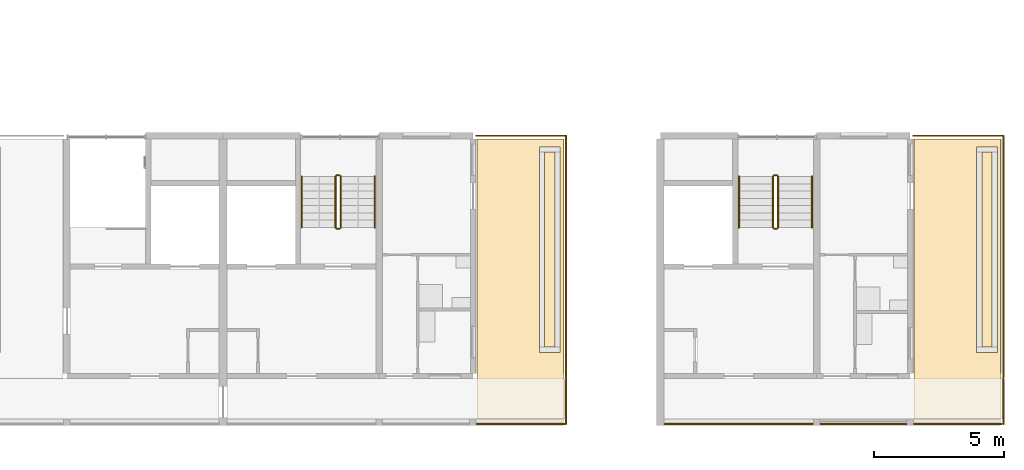
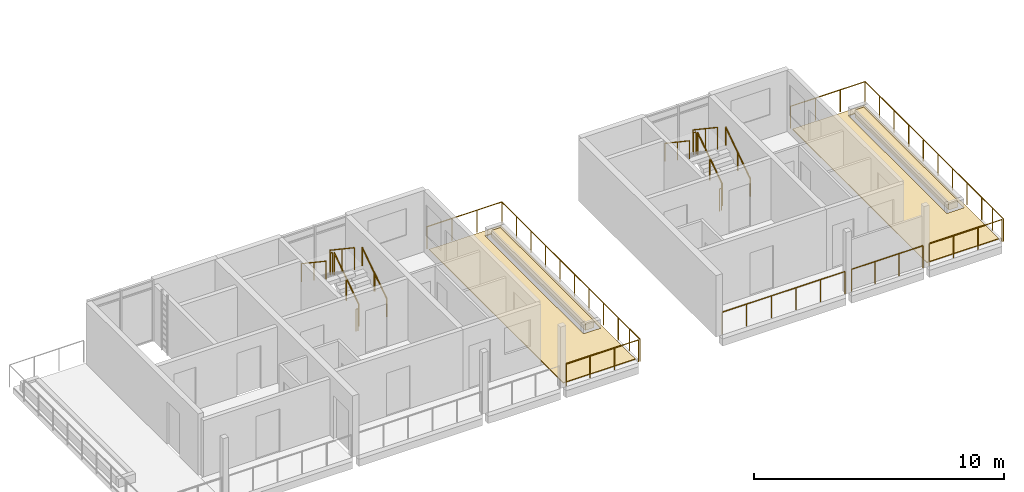
# One storey, part 38 of 41: 20 railings, 6 coverings.
"""IFC4 building model written with IfcOpenShell, lengths in metres."""

from ifc_helpers import new_model, si_unit, direction, frame, origin, origin_2d, place, context, subcontext, project, spatial, polyline, circle, outline, extrude, material, layer, layer_set, type_object, element, save


model = new_model("IFC4")

# Units and contexts
model_context = context("Model", 3, precision=1e-05, world=origin(), true_north=direction((0.0, 1.0)))
body_context = subcontext(model_context, "Body", "Model", "MODEL_VIEW")
ifc_project = project(units=[si_unit("LENGTHUNIT", "METRE"), si_unit("AREAUNIT", "SQUARE_METRE"), si_unit("VOLUMEUNIT", "CUBIC_METRE"), si_unit("PLANEANGLEUNIT", "RADIAN"), si_unit("MASSUNIT", "GRAM", prefix="KILO")], contexts=[model_context])

# Site, building, storey
site_placement = place(None, origin())
site = spatial("IfcSite", under=ifc_project, at=site_placement, CompositionType="ELEMENT")
building_placement = place(site_placement, origin())
building = spatial("IfcBuilding", under=site, at=building_placement, Name="Ridgestep Commons", CompositionType="ELEMENT")
storey_placement = place(building_placement, frame((0.0, 0.0, 39.0)))
storey = spatial("IfcBuildingStorey", under=building, at=storey_placement, Name="L13", CompositionType="ELEMENT", Elevation=39.0)

# Railings
ifc_material_1 = material(Name="Structural steel S355JR", Category="steel")
railing_type_1 = type_object("IfcRailingType", Name="Guard 1100", PredefinedType="GUARDRAIL", material=ifc_material_1)
railing_1_placement = place(storey_placement, frame((227.178955078125, 13.571044921875, 0.0)))
element("IfcRailing", 1, at=railing_1_placement, inside=storey, type_object=railing_type_1, Name="Guard TD-D5R2-GD", PredefinedType="GUARDRAIL", context=body_context, shape_type="SweptSolid", body=[
    extrude(circle(Radius=0.02392578125, at=origin_2d()), frame((0.0, 0.0, 1.076171875), z_axis=(0.0, 1.0, 0.0), x_axis=(-1.0, 0.0, 0.0)), (0.0, 0.0, 1.0), 9.303955078125),
    extrude(circle(Radius=0.02392578125, at=origin_2d()), frame((0.0, 9.303955078125, 1.076171875), z_axis=(-1.0, 0.0, 0.0), x_axis=(0.0, -1.0, 0.0)), (0.0, 0.0, 1.0), 3.4580078125),
    extrude(circle(Radius=0.02099609375, at=origin_2d()), origin(), (0.0, 0.0, 1.0), 1.052001953125),
    extrude(circle(Radius=0.02099609375, at=origin_2d()), frame((0.0, 1.1630859375, 0.0)), (0.0, 0.0, 1.0), 1.052001953125),
    extrude(circle(Radius=0.02099609375, at=origin_2d()), frame((0.0, 2.325927734375, 0.0)), (0.0, 0.0, 1.0), 1.052001953125),
    extrude(circle(Radius=0.02099609375, at=origin_2d()), frame((0.0, 3.489013671875, 0.0)), (0.0, 0.0, 1.0), 1.052001953125),
    extrude(circle(Radius=0.02099609375, at=origin_2d()), frame((0.0, 4.65185546875, 0.0)), (0.0, 0.0, 1.0), 1.052001953125),
    extrude(circle(Radius=0.02099609375, at=origin_2d()), frame((0.0, 5.81494140625, 0.0)), (0.0, 0.0, 1.0), 1.052001953125),
    extrude(circle(Radius=0.02099609375, at=origin_2d()), frame((0.0, 6.97802734375, 0.0)), (0.0, 0.0, 1.0), 1.052001953125),
    extrude(circle(Radius=0.02099609375, at=origin_2d()), frame((0.0, 8.140869140625, 0.0)), (0.0, 0.0, 1.0), 1.052001953125),
    extrude(circle(Radius=0.02099609375, at=origin_2d()), frame((0.0, 9.303955078125, 0.0)), (0.0, 0.0, 1.0), 1.052001953125),
    extrude(circle(Radius=0.02099609375, at=origin_2d()), frame((-1.152587890625, 9.303955078125, 0.0)), (0.0, 0.0, 1.0), 1.052001953125),
    extrude(circle(Radius=0.02099609375, at=origin_2d()), frame((-2.305419921875, 9.303955078125, 0.0)), (0.0, 0.0, 1.0), 1.052001953125),
    extrude(circle(Radius=0.02099609375, at=origin_2d()), frame((-3.4580078125, 9.303955078125, 0.0)), (0.0, 0.0, 1.0), 1.052001953125),
])
railing_2_placement = place(storey_placement, frame((243.97900390625, 13.571044921875, 0.0)))
element("IfcRailing", 2, at=railing_2_placement, inside=storey, type_object=railing_type_1, Name="Guard TD-D6R2-GD", PredefinedType="GUARDRAIL", context=body_context, shape_type="SweptSolid", body=[
    extrude(circle(Radius=0.02392578125, at=origin_2d()), frame((0.0, 0.0, 1.076171875), z_axis=(0.0, 1.0, 0.0), x_axis=(-1.0, 0.0, 0.0)), (0.0, 0.0, 1.0), 9.303955078125),
    extrude(circle(Radius=0.02392578125, at=origin_2d()), frame((0.0, 9.303955078125, 1.076171875), z_axis=(-1.0, 0.0, 0.0), x_axis=(0.0, -1.0, 0.0)), (0.0, 0.0, 1.0), 3.4580078125),
    extrude(circle(Radius=0.02099609375, at=origin_2d()), origin(), (0.0, 0.0, 1.0), 1.052001953125),
    extrude(circle(Radius=0.02099609375, at=origin_2d()), frame((0.0, 1.1630859375, 0.0)), (0.0, 0.0, 1.0), 1.052001953125),
    extrude(circle(Radius=0.02099609375, at=origin_2d()), frame((0.0, 2.325927734375, 0.0)), (0.0, 0.0, 1.0), 1.052001953125),
    extrude(circle(Radius=0.02099609375, at=origin_2d()), frame((0.0, 3.489013671875, 0.0)), (0.0, 0.0, 1.0), 1.052001953125),
    extrude(circle(Radius=0.02099609375, at=origin_2d()), frame((0.0, 4.65185546875, 0.0)), (0.0, 0.0, 1.0), 1.052001953125),
    extrude(circle(Radius=0.02099609375, at=origin_2d()), frame((0.0, 5.81494140625, 0.0)), (0.0, 0.0, 1.0), 1.052001953125),
    extrude(circle(Radius=0.02099609375, at=origin_2d()), frame((0.0, 6.97802734375, 0.0)), (0.0, 0.0, 1.0), 1.052001953125),
    extrude(circle(Radius=0.02099609375, at=origin_2d()), frame((0.0, 8.140869140625, 0.0)), (0.0, 0.0, 1.0), 1.052001953125),
    extrude(circle(Radius=0.02099609375, at=origin_2d()), frame((0.0, 9.303955078125, 0.0)), (0.0, 0.0, 1.0), 1.052001953125),
    extrude(circle(Radius=0.02099609375, at=origin_2d()), frame((-1.152587890625, 9.303955078125, 0.0)), (0.0, 0.0, 1.0), 1.052001953125),
    extrude(circle(Radius=0.02099609375, at=origin_2d()), frame((-2.305419921875, 9.303955078125, 0.0)), (0.0, 0.0, 1.0), 1.052001953125),
    extrude(circle(Radius=0.02099609375, at=origin_2d()), frame((-3.4580078125, 9.303955078125, 0.0)), (0.0, 0.0, 1.0), 1.052001953125),
])
railing_3_placement = place(storey_placement, frame((223.74609375, 11.800048828125, 0.0)))
element("IfcRailing", 3, at=railing_3_placement, inside=storey, type_object=railing_type_1, Name="Gallery guard D 13.5", PredefinedType="GUARDRAIL", context=body_context, shape_type="SweptSolid", body=[
    extrude(circle(Radius=0.02392578125, at=origin_2d()), frame((0.0, 0.0, 1.076171875), z_axis=(1.0, 0.0, 0.0), x_axis=(0.0, 1.0, 0.0)), (0.0, 0.0, 1.0), 3.369873046875),
    extrude(circle(Radius=0.02099609375, at=origin_2d()), origin(), (0.0, 0.0, 1.0), 1.052001953125),
    extrude(circle(Radius=0.02099609375, at=origin_2d()), frame((1.123291015625, 0.0, 0.0)), (0.0, 0.0, 1.0), 1.052001953125),
    extrude(circle(Radius=0.02099609375, at=origin_2d()), frame((2.24658203125, 0.0, 0.0)), (0.0, 0.0, 1.0), 1.052001953125),
    extrude(circle(Radius=0.02099609375, at=origin_2d()), frame((3.369873046875, 0.0, 0.0)), (0.0, 0.0, 1.0), 1.052001953125),
])
railing_4_placement = place(storey_placement, frame((227.178955078125, 11.800048828125, 0.0)))
element("IfcRailing", 4, at=railing_4_placement, inside=storey, type_object=railing_type_1, Name="Gallery end guard D 13.5E", PredefinedType="GUARDRAIL", context=body_context, shape_type="SweptSolid", body=[
    extrude(circle(Radius=0.02392578125, at=origin_2d()), frame((0.0, 0.0, 1.076171875), z_axis=(0.0, 1.0, 0.0), x_axis=(-1.0, 0.0, 0.0)), (0.0, 0.0, 1.0), 1.72900390625),
    extrude(circle(Radius=0.02099609375, at=origin_2d()), origin(), (0.0, 0.0, 1.0), 1.052001953125),
    extrude(circle(Radius=0.02099609375, at=origin_2d()), frame((0.0, 0.864501953125, 0.0)), (0.0, 0.0, 1.0), 1.052001953125),
    extrude(circle(Radius=0.02099609375, at=origin_2d()), frame((0.0, 1.72900390625, 0.0)), (0.0, 0.0, 1.0), 1.052001953125),
])
railing_5_placement = place(storey_placement, frame((230.970947265625, 11.800048828125, 0.0)))
element("IfcRailing", 5, at=railing_5_placement, inside=storey, type_object=railing_type_1, Name="Gallery guard D 13.1", PredefinedType="GUARDRAIL", context=body_context, shape_type="SweptSolid", body=[
    extrude(circle(Radius=0.02392578125, at=origin_2d()), frame((0.0, 0.0, 1.076171875), z_axis=(1.0, 0.0, 0.0), x_axis=(0.0, 1.0, 0.0)), (0.0, 0.0, 1.0), 5.68310546875),
    extrude(circle(Radius=0.02099609375, at=origin_2d()), origin(), (0.0, 0.0, 1.0), 1.052001953125),
    extrude(circle(Radius=0.02099609375, at=origin_2d()), frame((1.13671875, 0.0, 0.0)), (0.0, 0.0, 1.0), 1.052001953125),
    extrude(circle(Radius=0.02099609375, at=origin_2d()), frame((2.273193359375, 0.0, 0.0)), (0.0, 0.0, 1.0), 1.052001953125),
    extrude(circle(Radius=0.02099609375, at=origin_2d()), frame((3.409912109375, 0.0, 0.0)), (0.0, 0.0, 1.0), 1.052001953125),
    extrude(circle(Radius=0.02099609375, at=origin_2d()), frame((4.54638671875, 0.0, 0.0)), (0.0, 0.0, 1.0), 1.052001953125),
    extrude(circle(Radius=0.02099609375, at=origin_2d()), frame((5.68310546875, 0.0, 0.0)), (0.0, 0.0, 1.0), 1.052001953125),
])
railing_6_placement = place(storey_placement, frame((236.946044921875, 11.800048828125, 0.0)))
element("IfcRailing", 6, at=railing_6_placement, inside=storey, type_object=railing_type_1, Name="Gallery guard D 13.2", PredefinedType="GUARDRAIL", context=body_context, shape_type="SweptSolid", body=[
    extrude(circle(Radius=0.02392578125, at=origin_2d()), frame((0.0, 0.0, 1.076171875), z_axis=(1.0, 0.0, 0.0), x_axis=(0.0, 1.0, 0.0)), (0.0, 0.0, 1.0), 3.307861328125),
    extrude(circle(Radius=0.02099609375, at=origin_2d()), origin(), (0.0, 0.0, 1.0), 1.052001953125),
    extrude(circle(Radius=0.02099609375, at=origin_2d()), frame((1.1025390625, 0.0, 0.0)), (0.0, 0.0, 1.0), 1.052001953125),
    extrude(circle(Radius=0.02099609375, at=origin_2d()), frame((2.205322265625, 0.0, 0.0)), (0.0, 0.0, 1.0), 1.052001953125),
    extrude(circle(Radius=0.02099609375, at=origin_2d()), frame((3.307861328125, 0.0, 0.0)), (0.0, 0.0, 1.0), 1.052001953125),
])
railing_7_placement = place(storey_placement, frame((240.5458984375, 11.800048828125, 0.0)))
element("IfcRailing", 7, at=railing_7_placement, inside=storey, type_object=railing_type_1, Name="Gallery guard D 13.3", PredefinedType="GUARDRAIL", context=body_context, shape_type="SweptSolid", body=[
    extrude(circle(Radius=0.02392578125, at=origin_2d()), frame((0.0, 0.0, 1.076171875), z_axis=(1.0, 0.0, 0.0), x_axis=(0.0, 1.0, 0.0)), (0.0, 0.0, 1.0), 3.3701171875),
    extrude(circle(Radius=0.02099609375, at=origin_2d()), origin(), (0.0, 0.0, 1.0), 1.052001953125),
    extrude(circle(Radius=0.02099609375, at=origin_2d()), frame((1.123291015625, 0.0, 0.0)), (0.0, 0.0, 1.0), 1.052001953125),
    extrude(circle(Radius=0.02099609375, at=origin_2d()), frame((2.246826171875, 0.0, 0.0)), (0.0, 0.0, 1.0), 1.052001953125),
    extrude(circle(Radius=0.02099609375, at=origin_2d()), frame((3.3701171875, 0.0, 0.0)), (0.0, 0.0, 1.0), 1.052001953125),
])
railing_8_placement = place(storey_placement, frame((243.97900390625, 11.800048828125, 0.0)))
element("IfcRailing", 8, at=railing_8_placement, inside=storey, type_object=railing_type_1, Name="Gallery end guard D 13.3E", PredefinedType="GUARDRAIL", context=body_context, shape_type="SweptSolid", body=[
    extrude(circle(Radius=0.02392578125, at=origin_2d()), frame((0.0, 0.0, 1.076171875), z_axis=(0.0, 1.0, 0.0), x_axis=(-1.0, 0.0, 0.0)), (0.0, 0.0, 1.0), 1.72900390625),
    extrude(circle(Radius=0.02099609375, at=origin_2d()), origin(), (0.0, 0.0, 1.0), 1.052001953125),
    extrude(circle(Radius=0.02099609375, at=origin_2d()), frame((0.0, 0.864501953125, 0.0)), (0.0, 0.0, 1.0), 1.052001953125),
    extrude(circle(Radius=0.02099609375, at=origin_2d()), frame((0.0, 1.72900390625, 0.0)), (0.0, 0.0, 1.0), 1.052001953125),
])

# Coverings
ifc_material_2 = material(Name="Planting soil")
ifc_layer_1 = layer(ifc_material_2, 0.35009765625)
ifc_layer_set_1 = layer_set([ifc_layer_1], Name="Planting soil 350")
covering_type_1 = type_object("IfcCoveringType", Name="Planting soil 350", PredefinedType="FLOORING", material=ifc_layer_set_1)
covering_1_placement = place(storey_placement, frame((0.0, 0.0, 0.010009765625)))
element("IfcCovering", 9, at=covering_1_placement, inside=storey, type_object=covering_type_1, Name="Planting soil D5R2", PredefinedType="FLOORING", context=body_context, shape_type="SweptSolid", body=[
    extrude(outline(polyline([(226.35009765625, 14.75), (226.75, 14.75), (226.75, 22.25), (226.35009765625, 22.25), (226.35009765625, 14.75)])), origin(), (0.0, 0.0, 1.0), 0.35009765625),
])
covering_2_placement = place(storey_placement, frame((0.0, 0.0, 0.010009765625)))
element("IfcCovering", 10, at=covering_2_placement, inside=storey, type_object=covering_type_1, Name="Planting soil D6R2", PredefinedType="FLOORING", context=body_context, shape_type="SweptSolid", body=[
    extrude(outline(polyline([(243.14990234375, 14.75), (243.550048828125, 14.75), (243.550048828125, 22.25), (243.14990234375, 22.25), (243.14990234375, 14.75)])), origin(), (0.0, 0.0, 1.0), 0.35009765625),
])

# Railings
ifc_material_3 = material(Name="Structural steel S355JR", Category="steel")
railing_type_2 = type_object("IfcRailingType", Name="Stair guard 1100", PredefinedType="GUARDRAIL", material=ifc_material_3)
railing_9_placement = place(storey_placement, frame((218.52490234375, 19.35009765625, 0.1875)))
element("IfcRailing", 11, at=railing_9_placement, inside=storey, type_object=railing_type_2, Name="L13 D5C stair guard 1", PredefinedType="GUARDRAIL", context=body_context, shape_type="SweptSolid", body=[
    extrude(circle(Radius=0.02392578125, at=origin_2d()), frame((0.0, 0.0, 1.076171875), z_axis=(0.0, 0.830902050051, 0.556418712142), x_axis=(-1.0, 0.0, 0.0)), (0.0, 0.0, 1.0), 2.35888671875),
    extrude(circle(Radius=0.02099609375, at=origin_2d()), origin(), (0.0, 0.0, 1.0), 1.052001953125),
    extrude(circle(Radius=0.02099609375, at=origin_2d()), frame((0.0, 0.97998046875, 0.65625)), (0.0, 0.0, 1.0), 1.052001953125),
    extrude(circle(Radius=0.02099609375, at=origin_2d()), frame((0.0, 1.9599609375, 1.3125)), (0.0, 0.0, 1.0), 1.052001953125),
])
railing_10_placement = place(storey_placement, frame((218.47509765625, 21.360107421875, 1.5)))
element("IfcRailing", 12, at=railing_10_placement, inside=storey, type_object=railing_type_2, Name="L13 D5C stair guard 2", PredefinedType="GUARDRAIL", context=body_context, shape_type="SweptSolid", body=[
    extrude(circle(Radius=0.02392578125, at=origin_2d()), frame((0.0, 0.0, 1.076171875), z_axis=(-1.0, 0.0, 0.0), x_axis=(0.0, -1.0, 0.0)), (0.0, 0.0, 1.0), 0.10009765625),
    extrude(circle(Radius=0.02099609375, at=origin_2d()), origin(), (0.0, 0.0, 1.0), 1.052001953125),
    extrude(circle(Radius=0.02099609375, at=origin_2d()), frame((-0.10009765625, 0.0, 0.0)), (0.0, 0.0, 1.0), 1.052001953125),
])
railing_11_placement = place(storey_placement, frame((218.324951171875, 21.31005859375, 1.6875)))
element("IfcRailing", 13, at=railing_11_placement, inside=storey, type_object=railing_type_2, Name="L13 D5C stair guard 3", PredefinedType="GUARDRAIL", context=body_context, shape_type="SweptSolid", body=[
    extrude(circle(Radius=0.02392578125, at=origin_2d()), frame((0.0, 0.0, 1.076171875), z_axis=(0.0, -0.830902050051, 0.556418712142), x_axis=(1.0, 0.0, 0.0)), (0.0, 0.0, 1.0), 2.35888671875),
    extrude(circle(Radius=0.02099609375, at=origin_2d()), origin(), (0.0, 0.0, 1.0), 1.052001953125),
    extrude(circle(Radius=0.02099609375, at=origin_2d()), frame((0.0, -0.97998046875, 0.65625)), (0.0, 0.0, 1.0), 1.052001953125),
    extrude(circle(Radius=0.02099609375, at=origin_2d()), frame((0.0, -1.9599609375, 1.3125)), (0.0, 0.0, 1.0), 1.052001953125),
])
railing_12_placement = place(storey_placement, frame((218.47509765625, 19.300048828125, 0.0)))
element("IfcRailing", 14, at=railing_12_placement, inside=storey, type_object=railing_type_2, Name="L13 D5C stair guard 4", PredefinedType="GUARDRAIL", context=body_context, shape_type="SweptSolid", body=[
    extrude(circle(Radius=0.02392578125, at=origin_2d()), frame((0.0, 0.0, 1.076171875), z_axis=(-1.0, 0.0, 0.0), x_axis=(0.0, -1.0, 0.0)), (0.0, 0.0, 1.0), 0.10009765625),
    extrude(circle(Radius=0.02099609375, at=origin_2d()), origin(), (0.0, 0.0, 1.0), 1.052001953125),
    extrude(circle(Radius=0.02099609375, at=origin_2d()), frame((-0.10009765625, 0.0, 0.0)), (0.0, 0.0, 1.0), 1.052001953125),
])
railing_13_placement = place(storey_placement, frame((235.324951171875, 19.35009765625, 0.1875)))
element("IfcRailing", 15, at=railing_13_placement, inside=storey, type_object=railing_type_2, Name="L13 D6C stair guard 1", PredefinedType="GUARDRAIL", context=body_context, shape_type="SweptSolid", body=[
    extrude(circle(Radius=0.02392578125, at=origin_2d()), frame((0.0, 0.0, 1.076171875), z_axis=(0.0, 0.830902050051, 0.556418712142), x_axis=(-1.0, 0.0, 0.0)), (0.0, 0.0, 1.0), 2.35888671875),
    extrude(circle(Radius=0.02099609375, at=origin_2d()), origin(), (0.0, 0.0, 1.0), 1.052001953125),
    extrude(circle(Radius=0.02099609375, at=origin_2d()), frame((0.0, 0.97998046875, 0.65625)), (0.0, 0.0, 1.0), 1.052001953125),
    extrude(circle(Radius=0.02099609375, at=origin_2d()), frame((0.0, 1.9599609375, 1.3125)), (0.0, 0.0, 1.0), 1.052001953125),
])
railing_14_placement = place(storey_placement, frame((235.27490234375, 21.360107421875, 1.5)))
element("IfcRailing", 16, at=railing_14_placement, inside=storey, type_object=railing_type_2, Name="L13 D6C stair guard 2", PredefinedType="GUARDRAIL", context=body_context, shape_type="SweptSolid", body=[
    extrude(circle(Radius=0.02392578125, at=origin_2d()), frame((0.0, 0.0, 1.076171875), z_axis=(-1.0, 0.0, 0.0), x_axis=(0.0, -1.0, 0.0)), (0.0, 0.0, 1.0), 0.099853515625),
    extrude(circle(Radius=0.02099609375, at=origin_2d()), origin(), (0.0, 0.0, 1.0), 1.052001953125),
    extrude(circle(Radius=0.02099609375, at=origin_2d()), frame((-0.099853515625, 0.0, 0.0)), (0.0, 0.0, 1.0), 1.052001953125),
])
railing_15_placement = place(storey_placement, frame((235.125, 21.31005859375, 1.6875)))
element("IfcRailing", 17, at=railing_15_placement, inside=storey, type_object=railing_type_2, Name="L13 D6C stair guard 3", PredefinedType="GUARDRAIL", context=body_context, shape_type="SweptSolid", body=[
    extrude(circle(Radius=0.02392578125, at=origin_2d()), frame((0.0, 0.0, 1.076171875), z_axis=(0.0, -0.830902050051, 0.556418712142), x_axis=(1.0, 0.0, 0.0)), (0.0, 0.0, 1.0), 2.35888671875),
    extrude(circle(Radius=0.02099609375, at=origin_2d()), origin(), (0.0, 0.0, 1.0), 1.052001953125),
    extrude(circle(Radius=0.02099609375, at=origin_2d()), frame((0.0, -0.97998046875, 0.65625)), (0.0, 0.0, 1.0), 1.052001953125),
    extrude(circle(Radius=0.02099609375, at=origin_2d()), frame((0.0, -1.9599609375, 1.3125)), (0.0, 0.0, 1.0), 1.052001953125),
])
railing_16_placement = place(storey_placement, frame((235.27490234375, 19.300048828125, 0.0)))
element("IfcRailing", 18, at=railing_16_placement, inside=storey, type_object=railing_type_2, Name="L13 D6C stair guard 4", PredefinedType="GUARDRAIL", context=body_context, shape_type="SweptSolid", body=[
    extrude(circle(Radius=0.02392578125, at=origin_2d()), frame((0.0, 0.0, 1.076171875), z_axis=(-1.0, 0.0, 0.0), x_axis=(0.0, -1.0, 0.0)), (0.0, 0.0, 1.0), 0.099853515625),
    extrude(circle(Radius=0.02099609375, at=origin_2d()), origin(), (0.0, 0.0, 1.0), 1.052001953125),
    extrude(circle(Radius=0.02099609375, at=origin_2d()), frame((-0.099853515625, 0.0, 0.0)), (0.0, 0.0, 1.0), 1.052001953125),
])
ifc_material_4 = material(Name="Structural steel S355JR", Category="steel")
railing_type_3 = type_object("IfcRailingType", Name="Stair handrail 900", PredefinedType="HANDRAIL", material=ifc_material_4)
railing_17_placement = place(storey_placement, frame((219.824951171875, 19.35009765625, 0.1875)))
element("IfcRailing", 19, at=railing_17_placement, inside=storey, type_object=railing_type_3, Name="L13 D5C stair handrail 1", PredefinedType="HANDRAIL", context=body_context, shape_type="SweptSolid", body=[
    extrude(circle(Radius=0.02392578125, at=origin_2d()), frame((0.0, 0.0, 0.8759765625), z_axis=(0.0, 0.830902050051, 0.556418712142), x_axis=(-1.0, 0.0, 0.0)), (0.0, 0.0, 1.0), 2.35888671875),
    extrude(circle(Radius=0.02099609375, at=origin_2d()), origin(), (0.0, 0.0, 1.0), 0.851806640625),
    extrude(circle(Radius=0.02099609375, at=origin_2d()), frame((0.0, 0.97998046875, 0.65625)), (0.0, 0.0, 1.0), 0.851806640625),
    extrude(circle(Radius=0.02099609375, at=origin_2d()), frame((0.0, 1.9599609375, 1.3125)), (0.0, 0.0, 1.0), 0.851806640625),
])
railing_18_placement = place(storey_placement, frame((217.02490234375, 21.31005859375, 1.6875)))
element("IfcRailing", 20, at=railing_18_placement, inside=storey, type_object=railing_type_3, Name="L13 D5C stair handrail 2", PredefinedType="HANDRAIL", context=body_context, shape_type="SweptSolid", body=[
    extrude(circle(Radius=0.02392578125, at=origin_2d()), frame((0.0, 0.0, 0.8759765625), z_axis=(0.0, -0.830902050051, 0.556418712142), x_axis=(1.0, 0.0, 0.0)), (0.0, 0.0, 1.0), 2.35888671875),
    extrude(circle(Radius=0.02099609375, at=origin_2d()), origin(), (0.0, 0.0, 1.0), 0.851806640625),
    extrude(circle(Radius=0.02099609375, at=origin_2d()), frame((0.0, -0.97998046875, 0.65625)), (0.0, 0.0, 1.0), 0.851806640625),
    extrude(circle(Radius=0.02099609375, at=origin_2d()), frame((0.0, -1.9599609375, 1.3125)), (0.0, 0.0, 1.0), 0.851806640625),
])
railing_19_placement = place(storey_placement, frame((236.625, 19.35009765625, 0.1875)))
element("IfcRailing", 21, at=railing_19_placement, inside=storey, type_object=railing_type_3, Name="L13 D6C stair handrail 1", PredefinedType="HANDRAIL", context=body_context, shape_type="SweptSolid", body=[
    extrude(circle(Radius=0.02392578125, at=origin_2d()), frame((0.0, 0.0, 0.8759765625), z_axis=(0.0, 0.830902050051, 0.556418712142), x_axis=(-1.0, 0.0, 0.0)), (0.0, 0.0, 1.0), 2.35888671875),
    extrude(circle(Radius=0.02099609375, at=origin_2d()), origin(), (0.0, 0.0, 1.0), 0.851806640625),
    extrude(circle(Radius=0.02099609375, at=origin_2d()), frame((0.0, 0.97998046875, 0.65625)), (0.0, 0.0, 1.0), 0.851806640625),
    extrude(circle(Radius=0.02099609375, at=origin_2d()), frame((0.0, 1.9599609375, 1.3125)), (0.0, 0.0, 1.0), 0.851806640625),
])
railing_20_placement = place(storey_placement, frame((233.824951171875, 21.31005859375, 1.6875)))
element("IfcRailing", 22, at=railing_20_placement, inside=storey, type_object=railing_type_3, Name="L13 D6C stair handrail 2", PredefinedType="HANDRAIL", context=body_context, shape_type="SweptSolid", body=[
    extrude(circle(Radius=0.02392578125, at=origin_2d()), frame((0.0, 0.0, 0.8759765625), z_axis=(0.0, -0.830902050051, 0.556418712142), x_axis=(1.0, 0.0, 0.0)), (0.0, 0.0, 1.0), 2.35888671875),
    extrude(circle(Radius=0.02099609375, at=origin_2d()), origin(), (0.0, 0.0, 1.0), 0.851806640625),
    extrude(circle(Radius=0.02099609375, at=origin_2d()), frame((0.0, -0.97998046875, 0.65625)), (0.0, 0.0, 1.0), 0.851806640625),
    extrude(circle(Radius=0.02099609375, at=origin_2d()), frame((0.0, -1.9599609375, 1.3125)), (0.0, 0.0, 1.0), 0.851806640625),
])

# Coverings
ifc_material_5 = material(Name="Bitumen membrane, two layer")
ifc_layer_2 = layer(ifc_material_5, 0.010009765625)
ifc_layer_set_2 = layer_set([ifc_layer_2], Name="Terrace membrane 10")
covering_type_2 = type_object("IfcCoveringType", Name="Terrace membrane 10", PredefinedType="ROOFING", material=ifc_layer_set_2)
covering_3_placement = place(storey_placement, origin())
element("IfcCovering", 23, at=covering_3_placement, inside=storey, type_object=covering_type_2, Name="Terrace membrane D5R2", PredefinedType="ROOFING", context=body_context, shape_type="SweptSolid", body=[
    extrude(outline(polyline([(227.074951171875, 12.0), (227.074951171875, 22.75), (223.75, 22.75), (223.75, 12.0), (227.074951171875, 12.0)]), holes=[polyline([(226.949951171875, 14.550048828125), (226.949951171875, 22.449951171875), (226.14990234375, 22.449951171875), (226.14990234375, 14.550048828125), (226.949951171875, 14.550048828125)])]), origin(), (0.0, 0.0, 1.0), 0.010009765625),
])
covering_4_placement = place(storey_placement, origin())
element("IfcCovering", 24, at=covering_4_placement, inside=storey, type_object=covering_type_2, Name="Terrace membrane D6R2", PredefinedType="ROOFING", context=body_context, shape_type="SweptSolid", body=[
    extrude(outline(polyline([(243.875, 12.0), (243.875, 22.75), (240.550048828125, 22.75), (240.550048828125, 12.0), (243.875, 12.0)]), holes=[polyline([(243.75, 14.550048828125), (243.75, 22.449951171875), (242.949951171875, 22.449951171875), (242.949951171875, 14.550048828125), (243.75, 14.550048828125)])]), origin(), (0.0, 0.0, 1.0), 0.010009765625),
])
ifc_material_6 = material(Name="Concrete paving slab", Category="concrete")
ifc_layer_3 = layer(ifc_material_6, 0.030029296875)
ifc_layer_set_3 = layer_set([ifc_layer_3], Name="Terrace paving 30")
covering_type_3 = type_object("IfcCoveringType", Name="Terrace paving 30", PredefinedType="FLOORING", material=ifc_layer_set_3)
covering_5_placement = place(storey_placement, frame((0.0, 0.0, 0.010009765625)))
element("IfcCovering", 25, at=covering_5_placement, inside=storey, type_object=covering_type_3, Name="Terrace paving D5R2", PredefinedType="FLOORING", context=body_context, shape_type="SweptSolid", body=[
    extrude(outline(polyline([(227.074951171875, 12.0), (227.074951171875, 22.75), (223.75, 22.75), (223.75, 12.0), (227.074951171875, 12.0)]), holes=[polyline([(226.949951171875, 14.550048828125), (226.949951171875, 22.449951171875), (226.14990234375, 22.449951171875), (226.14990234375, 14.550048828125), (226.949951171875, 14.550048828125)])]), origin(), (0.0, 0.0, 1.0), 0.030029296875),
])
covering_6_placement = place(storey_placement, frame((0.0, 0.0, 0.010009765625)))
element("IfcCovering", 26, at=covering_6_placement, inside=storey, type_object=covering_type_3, Name="Terrace paving D6R2", PredefinedType="FLOORING", context=body_context, shape_type="SweptSolid", body=[
    extrude(outline(polyline([(243.875, 12.0), (243.875, 22.75), (240.550048828125, 22.75), (240.550048828125, 12.0), (243.875, 12.0)]), holes=[polyline([(243.75, 14.550048828125), (243.75, 22.449951171875), (242.949951171875, 22.449951171875), (242.949951171875, 14.550048828125), (243.75, 14.550048828125)])]), origin(), (0.0, 0.0, 1.0), 0.030029296875),
])

save(model, "model.ifc")
